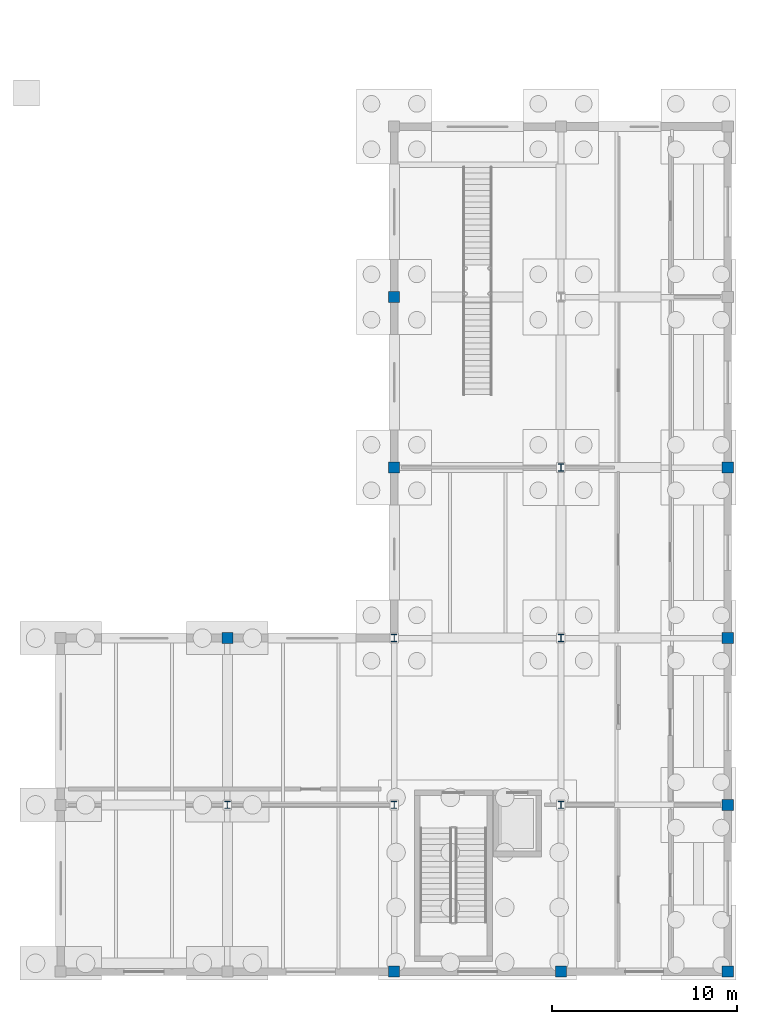
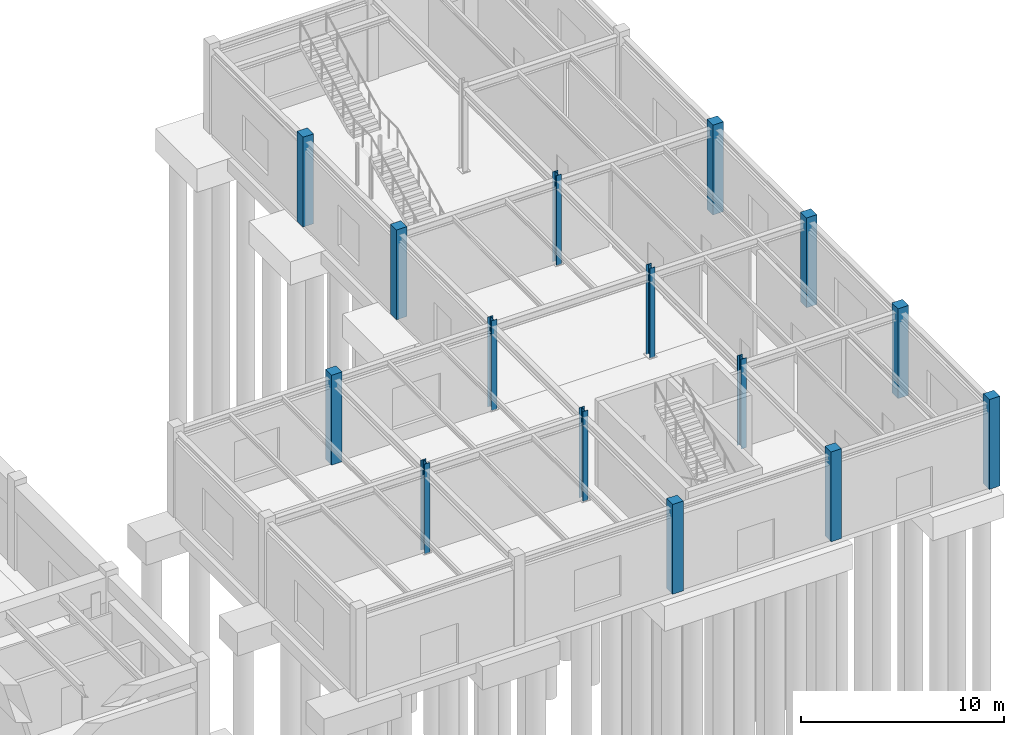
# One storey, part 24 of 76: 15 columns.
"""IFC4 building model written with IfcOpenShell, lengths in metres."""

from ifc_helpers import new_model, si_unit, direction, frame, origin, origin_2d, place, context, subcontext, project, spatial, rectangle, i_section, extrude, material, material_profile, profile_set, type_object, element, save


model = new_model("IFC4")

# Units and contexts
model_context = context("Model", 3, precision=1e-05, world=origin(), true_north=direction((0.0, 1.0)))
body_context = subcontext(model_context, "Body", "Model", "MODEL_VIEW")
ifc_project = project(units=[si_unit("LENGTHUNIT", "METRE"), si_unit("AREAUNIT", "SQUARE_METRE"), si_unit("VOLUMEUNIT", "CUBIC_METRE"), si_unit("PLANEANGLEUNIT", "RADIAN"), si_unit("MASSUNIT", "GRAM", prefix="KILO")], contexts=[model_context])

# Site, building, storey
site_placement = place(None, origin())
site = spatial("IfcSite", under=ifc_project, at=site_placement, CompositionType="ELEMENT")
building_placement = place(site_placement, origin())
building = spatial("IfcBuilding", under=site, at=building_placement, Name="Bozkorgan Art Gallery", CompositionType="ELEMENT")
storey_placement = place(building_placement, origin())
storey = spatial("IfcBuildingStorey", under=building, at=storey_placement, Name="L00", CompositionType="ELEMENT", Elevation=0.0)

# Columns
ifc_material_1 = material(Name="Steel S355J2", Category="steel")
ifc_material_profile_1 = material_profile(ifc_material_1, i_section(OverallWidth=0.300048828125, OverallDepth=0.389892578125, WebThickness=0.010986328125, FlangeThickness=0.01904296875, FilletRadius=0.027099609375, at=origin_2d()), Name="HEA 400")
ifc_profile_set_1 = profile_set([ifc_material_profile_1], Name="Steel S355J2")
column_type_1 = type_object("IfcColumnType", Name="COLUMN-C-03", PredefinedType="COLUMN", material=ifc_profile_set_1)
for number, where, z_axis, x_axis, name in (
    (1, (137.0, 11.0, 0.0), (0.0, 0.0, 1.0), (1.0, 0.0, 0.0), "V6 L00 column (137.0, 11.0)"),
    (2, (146.0, 11.0, 0.0), (0.0, 0.0, 1.0), (1.0, 0.0, 0.0), "V6 L00 column (146.0, 11.0)"),
    (3, (146.0, 20.0, 0.0), (0.0, 0.0, 1.0), (1.0, 0.0, 0.0), "V6 L00 column (146.0, 20.0)"),
    (4, (155.0, 11.0, 0.0), (0.0, 0.0, 1.0), (1.0, 0.0, 0.0), "V6 L00 column (155.0, 11.0)"),
    (5, (155.0, 20.0, 0.0), (0.0, 0.0, 1.0), (1.0, 0.0, 0.0), "V6 L00 column (155.0, 20.0)"),
    (6, (155.0, 29.199951171875, 0.0), (0.0, 0.0, 1.0), (1.0, 0.0, 0.0), "V6 L00 column (155.0, 29.2)"),
):
    element("IfcColumn", number, at=place(storey_placement, frame(where, z_axis=z_axis, x_axis=x_axis)), inside=storey, type_object=column_type_1, Name=name, PredefinedType="COLUMN", context=body_context, shape_type="SweptSolid", body=[
        extrude(i_section(OverallWidth=0.300048828125, OverallDepth=0.389892578125, WebThickness=0.010986328125, FlangeThickness=0.01904296875, FilletRadius=0.027099609375, at=origin_2d()), origin(), (0.0, 0.0, 1.0), 5.39990234375),
    ])
ifc_material_2 = material(Name="Concrete C40/50", Category="concrete")
ifc_material_profile_2 = material_profile(ifc_material_2, rectangle(XDim=0.60009765625, YDim=0.60009765625, at=origin_2d()), Name="RC 600x600")
ifc_profile_set_2 = profile_set([ifc_material_profile_2], Name="Concrete C40/50")
column_type_2 = type_object("IfcColumnType", Name="COLUMN-C-24", PredefinedType="COLUMN", material=ifc_profile_set_2)
for number, where, z_axis, x_axis, name in (
    (7, (137.0, 20.0, 0.0), (0.0, 0.0, 1.0), (1.0, 0.0, 0.0), "V6 L00 column (137.0, 20.0)"),
    (8, (146.0, 2.0, 0.0), (0.0, 0.0, 1.0), (1.0, 0.0, 0.0), "V6 L00 column (146.0, 2.0)"),
    (9, (146.0, 29.199951171875, 0.0), (0.0, 0.0, 1.0), (1.0, 0.0, 0.0), "V6 L00 column (146.0, 29.2)"),
    (10, (146.0, 38.39990234375, 0.0), (0.0, 0.0, 1.0), (1.0, 0.0, 0.0), "V6 L00 column (146.0, 38.4)"),
    (11, (155.0, 2.0, 0.0), (0.0, 0.0, 1.0), (1.0, 0.0, 0.0), "V6 L00 column (155.0, 2.0)"),
    (12, (164.0, 2.0, 0.0), (0.0, 0.0, 1.0), (1.0, 0.0, 0.0), "V6 L00 column (164.0, 2.0)"),
    (13, (164.0, 11.0, 0.0), (0.0, 0.0, 1.0), (1.0, 0.0, 0.0), "V6 L00 column (164.0, 11.0)"),
    (14, (164.0, 20.0, 0.0), (0.0, 0.0, 1.0), (1.0, 0.0, 0.0), "V6 L00 column (164.0, 20.0)"),
    (15, (164.0, 29.199951171875, 0.0), (0.0, 0.0, 1.0), (1.0, 0.0, 0.0), "V6 L00 column (164.0, 29.2)"),
):
    element("IfcColumn", number, at=place(storey_placement, frame(where, z_axis=z_axis, x_axis=x_axis)), inside=storey, type_object=column_type_2, Name=name, PredefinedType="COLUMN", context=body_context, shape_type="SweptSolid", body=[
        extrude(rectangle(XDim=0.60009765625, YDim=0.60009765625, at=origin_2d()), origin(), (0.0, 0.0, 1.0), 5.39990234375),
    ])

save(model, "model.ifc")
